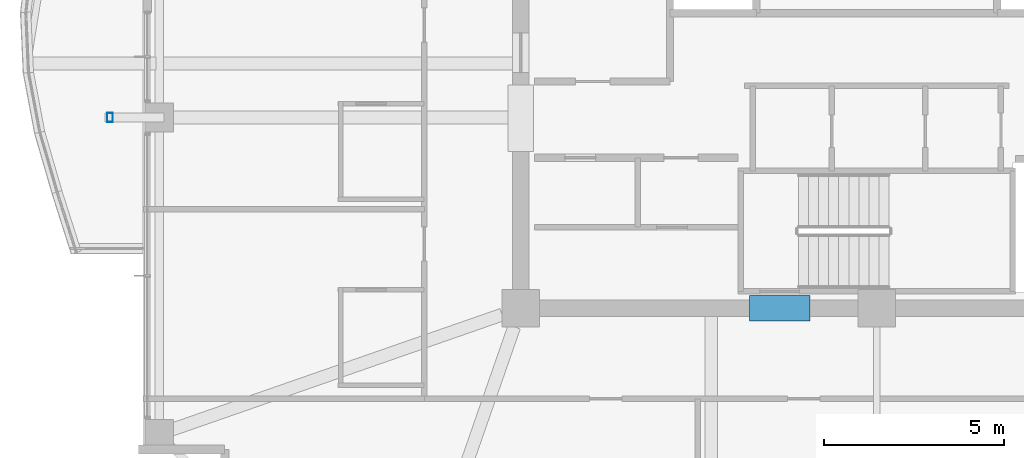
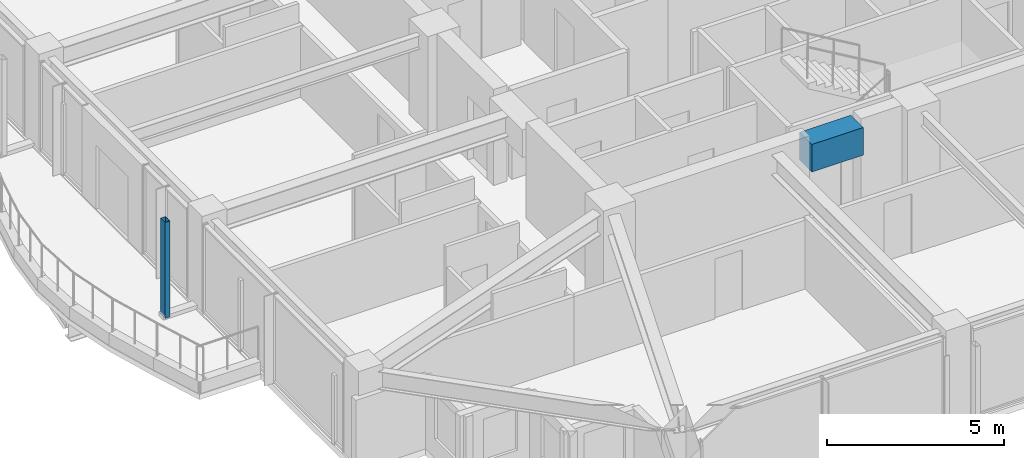
# One storey, part 5 of 33: 1 beam, 1 member.
"""IFC4 building model written with IfcOpenShell, lengths in metres."""

from ifc_helpers import new_model, si_unit, direction, frame, origin, origin_2d, place, context, subcontext, project, spatial, rectangle, hollow_rectangle, extrude, material, material_profile, profile_set, type_object, element, save


model = new_model("IFC4")

# Units and contexts
model_context = context("Model", 3, precision=1e-05, world=origin(), true_north=direction((0.0, 1.0)))
body_context = subcontext(model_context, "Body", "Model", "MODEL_VIEW")
ifc_project = project(units=[si_unit("LENGTHUNIT", "METRE"), si_unit("AREAUNIT", "SQUARE_METRE"), si_unit("VOLUMEUNIT", "CUBIC_METRE"), si_unit("PLANEANGLEUNIT", "RADIAN"), si_unit("MASSUNIT", "GRAM", prefix="KILO")], contexts=[model_context])

# Site, building, storey
site_placement = place(None, origin())
site = spatial("IfcSite", under=ifc_project, at=site_placement, CompositionType="ELEMENT")
building_placement = place(site_placement, origin())
building = spatial("IfcBuilding", under=site, at=building_placement, Name="Kolvaren Belvedere", CompositionType="ELEMENT")
storey_placement = place(building_placement, frame((0.0, 0.0, 209.699951171875)))
storey = spatial("IfcBuildingStorey", under=building, at=storey_placement, Name="L61", CompositionType="ELEMENT", Elevation=209.699951171875)

# Beam
ifc_material_1 = material(Name="Concrete C60/75", Category="concrete")
ifc_material_profile_1 = material_profile(ifc_material_1, rectangle(XDim=0.699951171875, YDim=0.949951171875, at=origin_2d()), Name="RC 700X950")
ifc_profile_set_1 = profile_set([ifc_material_profile_1], Name="Concrete C60/75")
beam_type = type_object("IfcBeamType", Name="BM-LINT-950", PredefinedType="LINTEL", material=ifc_profile_set_1)
beam_placement = place(storey_placement, frame((-3.5400390625, -9.89990234375, 2.60498046875), z_axis=(1.0, 0.0, 0.0), x_axis=(0.0, 1.0, 0.0)))
element("IfcBeam", 1, at=beam_placement, inside=storey, type_object=beam_type, Name="L61 South Core Coupling Lintel", PredefinedType="LINTEL", context=body_context, shape_type="SweptSolid", body=[
    extrude(rectangle(XDim=0.699951171875, YDim=0.949951171875, at=origin_2d()), origin(), (0.0, 0.0, 1.0), 1.679931640625),
])

# Member
ifc_material_2 = material(Name="Anodised pale-metal aluminium AA 6063-T6", Category="aluminium")
ifc_material_profile_2 = material_profile(ifc_material_2, hollow_rectangle(XDim=0.159912109375, YDim=0.260009765625, WallThickness=0.006591796875, at=origin_2d()), Name="ALU-PF-260X160")
ifc_profile_set_2 = profile_set([ifc_material_profile_2], Name="Anodised pale-metal aluminium AA 6063-T6")
member_type = type_object("IfcMemberType", Name="PF-FRAME-260", PredefinedType="USERDEFINED", material=ifc_profile_set_2)
member_placement = place(storey_placement, frame((-21.320068359375, -4.60009765625, 0.0), z_axis=(0.0, 0.0, 1.0), x_axis=(1.0, 0.0, 0.0)))
element("IfcMember", 2, at=member_placement, inside=storey, type_object=member_type, Name="L61 Outboard Picture-Frame Vertical W1", ObjectType="PICTURE FRAME FIN", PredefinedType="USERDEFINED", context=body_context, shape_type="SweptSolid", body=[
    extrude(hollow_rectangle(XDim=0.159912109375, YDim=0.260009765625, WallThickness=0.006591796875, at=origin_2d()), origin(), (0.0, 0.0, 1.0), 3.300048828125),
])

save(model, "model.ifc")
